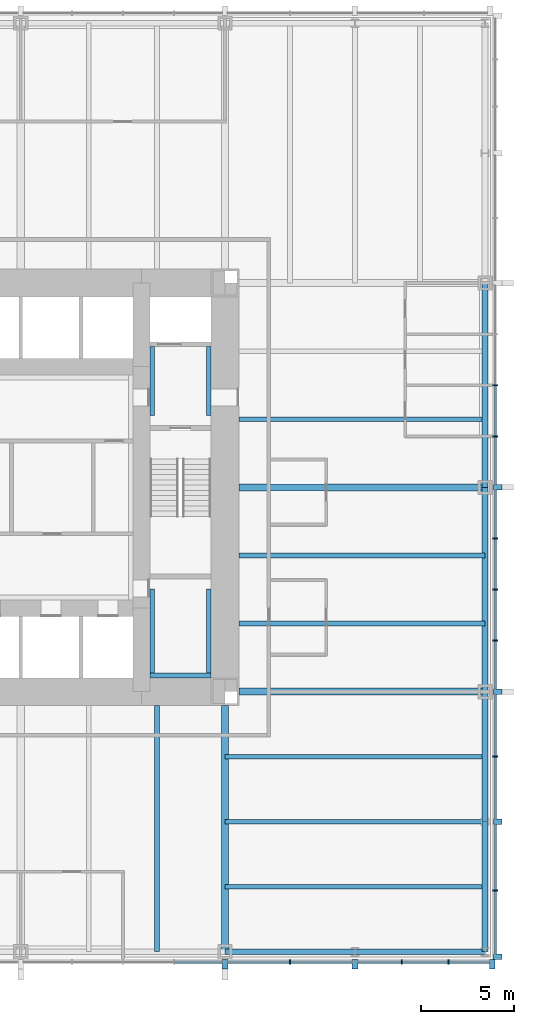
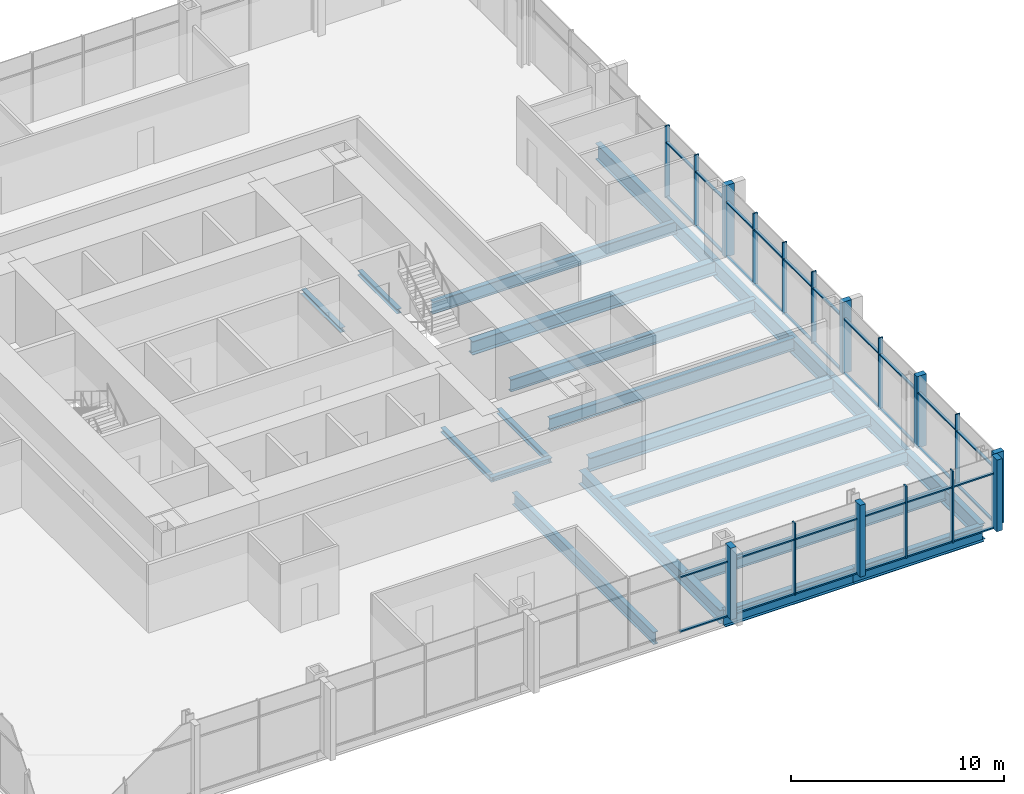
# One storey, part 4 of 12: 49 members, 21 beams, 2 elements without a shape of their own.
"""IFC4 building model written with IfcOpenShell, lengths in metres."""

from ifc_helpers import new_model, si_unit, direction, frame, origin, origin_2d, place, context, subcontext, project, spatial, rectangle, i_section, extrude, material, material_profile, profile_set, type_object, element, aggregate, save


model = new_model("IFC4")

# Units and contexts
model_context = context("Model", 3, precision=1e-05, world=origin(), true_north=direction((0.0, 1.0)))
body_context = subcontext(model_context, "Body", "Model", "MODEL_VIEW")
ifc_project = project(units=[si_unit("LENGTHUNIT", "METRE"), si_unit("AREAUNIT", "SQUARE_METRE"), si_unit("VOLUMEUNIT", "CUBIC_METRE"), si_unit("PLANEANGLEUNIT", "RADIAN"), si_unit("MASSUNIT", "GRAM", prefix="KILO")], contexts=[model_context])

# Site, building, storey
site_placement = place(None, origin())
site = spatial("IfcSite", under=ifc_project, at=site_placement, CompositionType="ELEMENT")
building_placement = place(site_placement, origin())
building = spatial("IfcBuilding", under=site, at=building_placement, Name="Trevanion Tower", CompositionType="ELEMENT")
storey_placement = place(building_placement, frame((0.0, 0.0, 61.10009765625)))
storey = spatial("IfcBuildingStorey", under=building, at=storey_placement, Name="L14", CompositionType="ELEMENT", Elevation=61.10009765625)

# Beams
ifc_material_1 = material(Name="Steel ASTM A992 Grade 50", Category="steel")
ifc_material_profile_1 = material_profile(ifc_material_1, i_section(OverallWidth=0.25390625, OverallDepth=0.700927734375, WebThickness=0.015380859375, FlangeThickness=0.02783203125, at=origin_2d()), Name="W27X129")
ifc_profile_set_1 = profile_set([ifc_material_profile_1], Name="Steel ASTM A992 Grade 50")
beam_type_1 = type_object("IfcBeamType", Name="B3 W27X129", PredefinedType="BEAM", material=ifc_profile_set_1)
for number, where, z_axis, x_axis, name in (
    (1, (11.75, -7.333251953125, -0.54052734375), (1.0, 0.0, 0.0), (0.0, 1.0, 0.0), "B3 L14"),
    (2, (11.75, -3.666748046875, -0.54052734375), (1.0, 0.0, 0.0), (0.0, 1.0, 0.0), "B3 L14"),
    (3, (11.75, 3.666748046875, -0.54052734375), (1.0, 0.0, 0.0), (0.0, 1.0, 0.0), "B3 L14"),
    (4, (7.333251953125, -11.75, -0.54052734375), (0.0, -1.0, 0.0), (1.0, 0.0, 0.0), "B3 L14"),
):
    element("IfcBeam", number, at=place(storey_placement, frame(where, z_axis=z_axis, x_axis=x_axis)), inside=storey, type_object=beam_type_1, Name=name, PredefinedType="BEAM", context=body_context, shape_type="SweptSolid", body=[
        extrude(i_section(OverallWidth=0.25390625, OverallDepth=0.700927734375, WebThickness=0.015380859375, FlangeThickness=0.02783203125, at=origin_2d()), origin(), (0.0, 0.0, 1.0), 13.25),
    ])
ifc_material_2 = material(Name="Steel ASTM A992 Grade 50", Category="steel")
ifc_material_profile_2 = material_profile(ifc_material_2, i_section(OverallWidth=0.256591796875, OverallDepth=0.693359375, WebThickness=0.014404296875, FlangeThickness=0.023681640625, at=origin_2d()), Name="W27X114")
ifc_profile_set_2 = profile_set([ifc_material_profile_2], Name="Steel ASTM A992 Grade 50")
beam_type_2 = type_object("IfcBeamType", Name="B4 W27X114", PredefinedType="BEAM", material=ifc_profile_set_2)
for number, where, z_axis, x_axis, name in (
    (5, (11.0, -14.5, -0.536865234375), (1.0, 0.0, 0.0), (0.0, 1.0, 0.0), "B4 L14"),
    (6, (11.0, -18.0, -0.536865234375), (1.0, 0.0, 0.0), (0.0, 1.0, 0.0), "B4 L14"),
    (7, (11.0, -21.5, -0.536865234375), (1.0, 0.0, 0.0), (0.0, 1.0, 0.0), "B4 L14"),
):
    element("IfcBeam", number, at=place(storey_placement, frame(where, z_axis=z_axis, x_axis=x_axis)), inside=storey, type_object=beam_type_2, Name=name, PredefinedType="BEAM", context=body_context, shape_type="SweptSolid", body=[
        extrude(i_section(OverallWidth=0.256591796875, OverallDepth=0.693359375, WebThickness=0.014404296875, FlangeThickness=0.023681640625, at=origin_2d()), origin(), (0.0, 0.0, 1.0), 14.0),
    ])

# Curtain wall, members
ifc_material_3 = material(Name="Aluminium and glass", Category="aluminium")
curtain_wall_type = type_object("IfcCurtainWallType", Name="CW1 curtain wall", PredefinedType="USERDEFINED", material=ifc_material_3)
curtain_wall_1_placement = place(storey_placement, origin())
curtain_wall_1 = element("IfcCurtainWall", 8, at=curtain_wall_1_placement, inside=storey, type_object=curtain_wall_type, Name="CW1 L14 0", ObjectType="UNITISED CURTAIN WALL", PredefinedType="USERDEFINED")
ifc_material_4 = material(Name="Aluminium extrusion, anodised bronze", Category="aluminium")
ifc_material_profile_3 = material_profile(ifc_material_4, rectangle(XDim=0.074951171875, YDim=0.25, at=origin_2d()), Name="CW1 mullion")
ifc_profile_set_3 = profile_set([ifc_material_profile_3], Name="Aluminium extrusion, anodised bronze")
member_type_1 = type_object("IfcMemberType", Name="CW1 mullion", PredefinedType="MULLION", material=ifc_profile_set_3)
member_1_placement = place(storey_placement, frame((25.550048828125, -21.7099609375, -0.190185546875), z_axis=(0.0, 0.0, 1.0), x_axis=(0.0, 1.0, 0.0)))
member_1 = element("IfcMember", 9, at=member_1_placement, type_object=member_type_1, Name="CW1 mullion 2", PredefinedType="MULLION", context=body_context, shape_type="SweptSolid", body=[
    extrude(rectangle(XDim=0.074951171875, YDim=0.25, at=origin_2d()), origin(), (0.0, 0.0, 1.0), 4.10009765625),
])
member_2_placement = place(storey_placement, frame((25.550048828125, -14.5, -0.190185546875), z_axis=(0.0, 0.0, 1.0), x_axis=(0.0, 1.0, 0.0)))
member_2 = element("IfcMember", 10, at=member_2_placement, type_object=member_type_1, Name="CW1 mullion 4", PredefinedType="MULLION", context=body_context, shape_type="SweptSolid", body=[
    extrude(rectangle(XDim=0.074951171875, YDim=0.25, at=origin_2d()), origin(), (0.0, 0.0, 1.0), 4.10009765625),
])
member_3_placement = place(storey_placement, frame((25.550048828125, -8.25, -0.190185546875), z_axis=(0.0, 0.0, 1.0), x_axis=(0.0, 1.0, 0.0)))
member_3 = element("IfcMember", 11, at=member_3_placement, type_object=member_type_1, Name="CW1 mullion 6", PredefinedType="MULLION", context=body_context, shape_type="SweptSolid", body=[
    extrude(rectangle(XDim=0.074951171875, YDim=0.25, at=origin_2d()), origin(), (0.0, 0.0, 1.0), 4.10009765625),
])
member_4_placement = place(storey_placement, frame((25.550048828125, -5.5, -0.190185546875), z_axis=(0.0, 0.0, 1.0), x_axis=(0.0, 1.0, 0.0)))
member_4 = element("IfcMember", 12, at=member_4_placement, type_object=member_type_1, Name="CW1 mullion 7", PredefinedType="MULLION", context=body_context, shape_type="SweptSolid", body=[
    extrude(rectangle(XDim=0.074951171875, YDim=0.25, at=origin_2d()), origin(), (0.0, 0.0, 1.0), 4.10009765625),
])
member_5_placement = place(storey_placement, frame((25.550048828125, -2.75, -0.190185546875), z_axis=(0.0, 0.0, 1.0), x_axis=(0.0, 1.0, 0.0)))
member_5 = element("IfcMember", 13, at=member_5_placement, type_object=member_type_1, Name="CW1 mullion 8", PredefinedType="MULLION", context=body_context, shape_type="SweptSolid", body=[
    extrude(rectangle(XDim=0.074951171875, YDim=0.25, at=origin_2d()), origin(), (0.0, 0.0, 1.0), 4.10009765625),
])
member_6_placement = place(storey_placement, frame((25.550048828125, 2.75, -0.190185546875), z_axis=(0.0, 0.0, 1.0), x_axis=(0.0, 1.0, 0.0)))
member_6 = element("IfcMember", 14, at=member_6_placement, type_object=member_type_1, Name="CW1 mullion 10", PredefinedType="MULLION", context=body_context, shape_type="SweptSolid", body=[
    extrude(rectangle(XDim=0.074951171875, YDim=0.25, at=origin_2d()), origin(), (0.0, 0.0, 1.0), 4.10009765625),
])
member_7_placement = place(storey_placement, frame((25.550048828125, 5.5, -0.190185546875), z_axis=(0.0, 0.0, 1.0), x_axis=(0.0, 1.0, 0.0)))
member_7 = element("IfcMember", 15, at=member_7_placement, type_object=member_type_1, Name="CW1 mullion 11", PredefinedType="MULLION", context=body_context, shape_type="SweptSolid", body=[
    extrude(rectangle(XDim=0.074951171875, YDim=0.25, at=origin_2d()), origin(), (0.0, 0.0, 1.0), 4.10009765625),
])

curtain_wall_2_placement = place(storey_placement, origin())
curtain_wall_2 = element("IfcCurtainWall", 16, at=curtain_wall_2_placement, inside=storey, type_object=curtain_wall_type, Name="CW1 L14 3", ObjectType="UNITISED CURTAIN WALL", PredefinedType="USERDEFINED")
member_8_placement = place(storey_placement, frame((14.5, -25.550048828125, -0.190185546875), z_axis=(0.0, 0.0, 1.0), x_axis=(1.0, 0.0, 0.0)))
member_8 = element("IfcMember", 17, at=member_8_placement, type_object=member_type_1, Name="CW1 mullion 14", PredefinedType="MULLION", context=body_context, shape_type="SweptSolid", body=[
    extrude(rectangle(XDim=0.074951171875, YDim=0.25, at=origin_2d()), origin(), (0.0, 0.0, 1.0), 4.10009765625),
])
member_9_placement = place(storey_placement, frame((20.5166015625, -25.550048828125, -0.190185546875), z_axis=(0.0, 0.0, 1.0), x_axis=(1.0, 0.0, 0.0)))
member_9 = element("IfcMember", 18, at=member_9_placement, type_object=member_type_1, Name="CW1 mullion 16", PredefinedType="MULLION", context=body_context, shape_type="SweptSolid", body=[
    extrude(rectangle(XDim=0.074951171875, YDim=0.25, at=origin_2d()), origin(), (0.0, 0.0, 1.0), 4.10009765625),
])
member_10_placement = place(storey_placement, frame((23.033203125, -25.550048828125, -0.190185546875), z_axis=(0.0, 0.0, 1.0), x_axis=(1.0, 0.0, 0.0)))
member_10 = element("IfcMember", 19, at=member_10_placement, type_object=member_type_1, Name="CW1 mullion 17", PredefinedType="MULLION", context=body_context, shape_type="SweptSolid", body=[
    extrude(rectangle(XDim=0.074951171875, YDim=0.25, at=origin_2d()), origin(), (0.0, 0.0, 1.0), 4.10009765625),
])

# Member
ifc_material_5 = material(Name="Aluminium extrusion, anodised bronze", Category="aluminium")
ifc_material_profile_4 = material_profile(ifc_material_5, rectangle(XDim=0.300048828125, YDim=0.5, at=origin_2d()), Name="CW1 pier mullion")
ifc_profile_set_4 = profile_set([ifc_material_profile_4], Name="Aluminium extrusion, anodised bronze")
member_type_2 = type_object("IfcMemberType", Name="CW1 pier mullion", PredefinedType="MULLION", material=ifc_profile_set_4)
member_11_placement = place(storey_placement, frame((25.675048828125, -25.27001953125, -0.190185546875), z_axis=(0.0, 0.0, 1.0), x_axis=(0.0, 1.0, 0.0)))
member_11 = element("IfcMember", 20, at=member_11_placement, type_object=member_type_2, Name="CW1 pier mullion 1", PredefinedType="MULLION", context=body_context, shape_type="SweptSolid", body=[
    extrude(rectangle(XDim=0.300048828125, YDim=0.5, at=origin_2d()), origin(), (0.0, 0.0, 1.0), 4.10009765625),
])

member_12_placement = place(storey_placement, frame((25.675048828125, -18.0, -0.190185546875), z_axis=(0.0, 0.0, 1.0), x_axis=(0.0, 1.0, 0.0)))
member_12 = element("IfcMember", 21, at=member_12_placement, type_object=member_type_2, Name="CW1 pier mullion 3", PredefinedType="MULLION", context=body_context, shape_type="SweptSolid", body=[
    extrude(rectangle(XDim=0.300048828125, YDim=0.5, at=origin_2d()), origin(), (0.0, 0.0, 1.0), 4.10009765625),
])

member_13_placement = place(storey_placement, frame((25.675048828125, -11.0, -0.190185546875), z_axis=(0.0, 0.0, 1.0), x_axis=(0.0, 1.0, 0.0)))
member_13 = element("IfcMember", 22, at=member_13_placement, type_object=member_type_2, Name="CW1 pier mullion 5", PredefinedType="MULLION", context=body_context, shape_type="SweptSolid", body=[
    extrude(rectangle(XDim=0.300048828125, YDim=0.5, at=origin_2d()), origin(), (0.0, 0.0, 1.0), 4.10009765625),
])

member_14_placement = place(storey_placement, frame((25.675048828125, 0.0, -0.190185546875), z_axis=(0.0, 0.0, 1.0), x_axis=(0.0, 1.0, 0.0)))
member_14 = element("IfcMember", 23, at=member_14_placement, type_object=member_type_2, Name="CW1 pier mullion 9", PredefinedType="MULLION", context=body_context, shape_type="SweptSolid", body=[
    extrude(rectangle(XDim=0.300048828125, YDim=0.5, at=origin_2d()), origin(), (0.0, 0.0, 1.0), 4.10009765625),
])

member_15_placement = place(storey_placement, frame((11.0, -25.675048828125, -0.190185546875), z_axis=(0.0, 0.0, 1.0), x_axis=(1.0, 0.0, 0.0)))
member_15 = element("IfcMember", 24, at=member_15_placement, type_object=member_type_2, Name="CW1 pier mullion 13", PredefinedType="MULLION", context=body_context, shape_type="SweptSolid", body=[
    extrude(rectangle(XDim=0.300048828125, YDim=0.5, at=origin_2d()), origin(), (0.0, 0.0, 1.0), 4.10009765625),
])

member_16_placement = place(storey_placement, frame((18.0, -25.675048828125, -0.190185546875), z_axis=(0.0, 0.0, 1.0), x_axis=(1.0, 0.0, 0.0)))
member_16 = element("IfcMember", 25, at=member_16_placement, type_object=member_type_2, Name="CW1 pier mullion 15", PredefinedType="MULLION", context=body_context, shape_type="SweptSolid", body=[
    extrude(rectangle(XDim=0.300048828125, YDim=0.5, at=origin_2d()), origin(), (0.0, 0.0, 1.0), 4.10009765625),
])

member_17_placement = place(storey_placement, frame((25.39990234375, -25.675048828125, -0.190185546875), z_axis=(0.0, 0.0, 1.0), x_axis=(1.0, 0.0, 0.0)))
member_17 = element("IfcMember", 26, at=member_17_placement, type_object=member_type_2, Name="CW1 pier mullion 18", PredefinedType="MULLION", context=body_context, shape_type="SweptSolid", body=[
    extrude(rectangle(XDim=0.300048828125, YDim=0.5, at=origin_2d()), origin(), (0.0, 0.0, 1.0), 4.10009765625),
])

ifc_material_6 = material(Name="Aluminium extrusion, anodised bronze", Category="aluminium")
ifc_material_profile_5 = material_profile(ifc_material_6, rectangle(XDim=0.14990234375, YDim=0.074951171875, at=origin_2d()), Name="CW1 transom")
ifc_profile_set_5 = profile_set([ifc_material_profile_5], Name="Aluminium extrusion, anodised bronze")
member_type_3 = type_object("IfcMemberType", Name="CW1 transom", PredefinedType="USERDEFINED", material=ifc_profile_set_5)
member_18_placement = place(storey_placement, frame((25.550048828125, -25.1201171875, -0.152587890625), z_axis=(0.0, 1.0, 0.0), x_axis=(-1.0, 0.0, 0.0)))
member_18 = element("IfcMember", 27, at=member_18_placement, type_object=member_type_3, Name="CW1 transom 1.1", ObjectType="TRANSOM", PredefinedType="USERDEFINED", context=body_context, shape_type="SweptSolid", body=[
    extrude(rectangle(XDim=0.14990234375, YDim=0.074951171875, at=origin_2d()), origin(), (0.0, 0.0, 1.0), 3.37255859375),
])

member_19_placement = place(storey_placement, frame((25.550048828125, -25.1201171875, 2.9599609375), z_axis=(0.0, 1.0, 0.0), x_axis=(-1.0, 0.0, 0.0)))
member_19 = element("IfcMember", 28, at=member_19_placement, type_object=member_type_3, Name="CW1 transom 1.2", ObjectType="TRANSOM", PredefinedType="USERDEFINED", context=body_context, shape_type="SweptSolid", body=[
    extrude(rectangle(XDim=0.14990234375, YDim=0.074951171875, at=origin_2d()), origin(), (0.0, 0.0, 1.0), 3.37255859375),
])

member_20_placement = place(storey_placement, frame((25.550048828125, -21.672607421875, -0.152587890625), z_axis=(0.0, 1.0, 0.0), x_axis=(-1.0, 0.0, 0.0)))
member_20 = element("IfcMember", 29, at=member_20_placement, type_object=member_type_3, Name="CW1 transom 2.1", ObjectType="TRANSOM", PredefinedType="USERDEFINED", context=body_context, shape_type="SweptSolid", body=[
    extrude(rectangle(XDim=0.14990234375, YDim=0.074951171875, at=origin_2d()), origin(), (0.0, 0.0, 1.0), 3.522705078125),
])

member_21_placement = place(storey_placement, frame((25.550048828125, -21.672607421875, 2.9599609375), z_axis=(0.0, 1.0, 0.0), x_axis=(-1.0, 0.0, 0.0)))
member_21 = element("IfcMember", 30, at=member_21_placement, type_object=member_type_3, Name="CW1 transom 2.2", ObjectType="TRANSOM", PredefinedType="USERDEFINED", context=body_context, shape_type="SweptSolid", body=[
    extrude(rectangle(XDim=0.14990234375, YDim=0.074951171875, at=origin_2d()), origin(), (0.0, 0.0, 1.0), 3.522705078125),
])

member_22_placement = place(storey_placement, frame((25.550048828125, -17.85009765625, -0.152587890625), z_axis=(0.0, 1.0, 0.0), x_axis=(-1.0, 0.0, 0.0)))
member_22 = element("IfcMember", 31, at=member_22_placement, type_object=member_type_3, Name="CW1 transom 3.1", ObjectType="TRANSOM", PredefinedType="USERDEFINED", context=body_context, shape_type="SweptSolid", body=[
    extrude(rectangle(XDim=0.14990234375, YDim=0.074951171875, at=origin_2d()), origin(), (0.0, 0.0, 1.0), 3.3125),
])

member_23_placement = place(storey_placement, frame((25.550048828125, -17.85009765625, 2.9599609375), z_axis=(0.0, 1.0, 0.0), x_axis=(-1.0, 0.0, 0.0)))
member_23 = element("IfcMember", 32, at=member_23_placement, type_object=member_type_3, Name="CW1 transom 3.2", ObjectType="TRANSOM", PredefinedType="USERDEFINED", context=body_context, shape_type="SweptSolid", body=[
    extrude(rectangle(XDim=0.14990234375, YDim=0.074951171875, at=origin_2d()), origin(), (0.0, 0.0, 1.0), 3.3125),
])

member_24_placement = place(storey_placement, frame((25.550048828125, -14.46240234375, -0.152587890625), z_axis=(0.0, 1.0, 0.0), x_axis=(-1.0, 0.0, 0.0)))
member_24 = element("IfcMember", 33, at=member_24_placement, type_object=member_type_3, Name="CW1 transom 4.1", ObjectType="TRANSOM", PredefinedType="USERDEFINED", context=body_context, shape_type="SweptSolid", body=[
    extrude(rectangle(XDim=0.14990234375, YDim=0.074951171875, at=origin_2d()), origin(), (0.0, 0.0, 1.0), 3.3125),
])

member_25_placement = place(storey_placement, frame((25.550048828125, -14.46240234375, 2.9599609375), z_axis=(0.0, 1.0, 0.0), x_axis=(-1.0, 0.0, 0.0)))
member_25 = element("IfcMember", 34, at=member_25_placement, type_object=member_type_3, Name="CW1 transom 4.2", ObjectType="TRANSOM", PredefinedType="USERDEFINED", context=body_context, shape_type="SweptSolid", body=[
    extrude(rectangle(XDim=0.14990234375, YDim=0.074951171875, at=origin_2d()), origin(), (0.0, 0.0, 1.0), 3.3125),
])

member_26_placement = place(storey_placement, frame((25.550048828125, -10.85009765625, -0.152587890625), z_axis=(0.0, 1.0, 0.0), x_axis=(-1.0, 0.0, 0.0)))
member_26 = element("IfcMember", 35, at=member_26_placement, type_object=member_type_3, Name="CW1 transom 5.1", ObjectType="TRANSOM", PredefinedType="USERDEFINED", context=body_context, shape_type="SweptSolid", body=[
    extrude(rectangle(XDim=0.14990234375, YDim=0.074951171875, at=origin_2d()), origin(), (0.0, 0.0, 1.0), 2.5625),
])

member_27_placement = place(storey_placement, frame((25.550048828125, -10.85009765625, 2.9599609375), z_axis=(0.0, 1.0, 0.0), x_axis=(-1.0, 0.0, 0.0)))
member_27 = element("IfcMember", 36, at=member_27_placement, type_object=member_type_3, Name="CW1 transom 5.2", ObjectType="TRANSOM", PredefinedType="USERDEFINED", context=body_context, shape_type="SweptSolid", body=[
    extrude(rectangle(XDim=0.14990234375, YDim=0.074951171875, at=origin_2d()), origin(), (0.0, 0.0, 1.0), 2.5625),
])

member_28_placement = place(storey_placement, frame((25.550048828125, -8.21240234375, -0.152587890625), z_axis=(0.0, 1.0, 0.0), x_axis=(-1.0, 0.0, 0.0)))
member_28 = element("IfcMember", 37, at=member_28_placement, type_object=member_type_3, Name="CW1 transom 6.1", ObjectType="TRANSOM", PredefinedType="USERDEFINED", context=body_context, shape_type="SweptSolid", body=[
    extrude(rectangle(XDim=0.14990234375, YDim=0.074951171875, at=origin_2d()), origin(), (0.0, 0.0, 1.0), 2.6748046875),
])

member_29_placement = place(storey_placement, frame((25.550048828125, -8.21240234375, 2.9599609375), z_axis=(0.0, 1.0, 0.0), x_axis=(-1.0, 0.0, 0.0)))
member_29 = element("IfcMember", 38, at=member_29_placement, type_object=member_type_3, Name="CW1 transom 6.2", ObjectType="TRANSOM", PredefinedType="USERDEFINED", context=body_context, shape_type="SweptSolid", body=[
    extrude(rectangle(XDim=0.14990234375, YDim=0.074951171875, at=origin_2d()), origin(), (0.0, 0.0, 1.0), 2.6748046875),
])

member_30_placement = place(storey_placement, frame((25.550048828125, -5.46240234375, -0.152587890625), z_axis=(0.0, 1.0, 0.0), x_axis=(-1.0, 0.0, 0.0)))
member_30 = element("IfcMember", 39, at=member_30_placement, type_object=member_type_3, Name="CW1 transom 7.1", ObjectType="TRANSOM", PredefinedType="USERDEFINED", context=body_context, shape_type="SweptSolid", body=[
    extrude(rectangle(XDim=0.14990234375, YDim=0.074951171875, at=origin_2d()), origin(), (0.0, 0.0, 1.0), 2.6748046875),
])

member_31_placement = place(storey_placement, frame((25.550048828125, -5.46240234375, 2.9599609375), z_axis=(0.0, 1.0, 0.0), x_axis=(-1.0, 0.0, 0.0)))
member_31 = element("IfcMember", 40, at=member_31_placement, type_object=member_type_3, Name="CW1 transom 7.2", ObjectType="TRANSOM", PredefinedType="USERDEFINED", context=body_context, shape_type="SweptSolid", body=[
    extrude(rectangle(XDim=0.14990234375, YDim=0.074951171875, at=origin_2d()), origin(), (0.0, 0.0, 1.0), 2.6748046875),
])

member_32_placement = place(storey_placement, frame((25.550048828125, -2.71240234375, -0.152587890625), z_axis=(0.0, 1.0, 0.0), x_axis=(-1.0, 0.0, 0.0)))
member_32 = element("IfcMember", 41, at=member_32_placement, type_object=member_type_3, Name="CW1 transom 8.1", ObjectType="TRANSOM", PredefinedType="USERDEFINED", context=body_context, shape_type="SweptSolid", body=[
    extrude(rectangle(XDim=0.14990234375, YDim=0.074951171875, at=origin_2d()), origin(), (0.0, 0.0, 1.0), 2.5625),
])

member_33_placement = place(storey_placement, frame((25.550048828125, -2.71240234375, 2.9599609375), z_axis=(0.0, 1.0, 0.0), x_axis=(-1.0, 0.0, 0.0)))
member_33 = element("IfcMember", 42, at=member_33_placement, type_object=member_type_3, Name="CW1 transom 8.2", ObjectType="TRANSOM", PredefinedType="USERDEFINED", context=body_context, shape_type="SweptSolid", body=[
    extrude(rectangle(XDim=0.14990234375, YDim=0.074951171875, at=origin_2d()), origin(), (0.0, 0.0, 1.0), 2.5625),
])

member_34_placement = place(storey_placement, frame((25.550048828125, 0.14990234375, -0.152587890625), z_axis=(0.0, 1.0, 0.0), x_axis=(-1.0, 0.0, 0.0)))
member_34 = element("IfcMember", 43, at=member_34_placement, type_object=member_type_3, Name="CW1 transom 9.1", ObjectType="TRANSOM", PredefinedType="USERDEFINED", context=body_context, shape_type="SweptSolid", body=[
    extrude(rectangle(XDim=0.14990234375, YDim=0.074951171875, at=origin_2d()), origin(), (0.0, 0.0, 1.0), 2.5625),
])

member_35_placement = place(storey_placement, frame((25.550048828125, 0.14990234375, 2.9599609375), z_axis=(0.0, 1.0, 0.0), x_axis=(-1.0, 0.0, 0.0)))
member_35 = element("IfcMember", 44, at=member_35_placement, type_object=member_type_3, Name="CW1 transom 9.2", ObjectType="TRANSOM", PredefinedType="USERDEFINED", context=body_context, shape_type="SweptSolid", body=[
    extrude(rectangle(XDim=0.14990234375, YDim=0.074951171875, at=origin_2d()), origin(), (0.0, 0.0, 1.0), 2.5625),
])

member_36_placement = place(storey_placement, frame((25.550048828125, 2.78759765625, -0.152587890625), z_axis=(0.0, 1.0, 0.0), x_axis=(-1.0, 0.0, 0.0)))
member_36 = element("IfcMember", 45, at=member_36_placement, type_object=member_type_3, Name="CW1 transom 10.1", ObjectType="TRANSOM", PredefinedType="USERDEFINED", context=body_context, shape_type="SweptSolid", body=[
    extrude(rectangle(XDim=0.14990234375, YDim=0.074951171875, at=origin_2d()), origin(), (0.0, 0.0, 1.0), 2.6748046875),
])

member_37_placement = place(storey_placement, frame((25.550048828125, 2.78759765625, 2.9599609375), z_axis=(0.0, 1.0, 0.0), x_axis=(-1.0, 0.0, 0.0)))
member_37 = element("IfcMember", 46, at=member_37_placement, type_object=member_type_3, Name="CW1 transom 10.2", ObjectType="TRANSOM", PredefinedType="USERDEFINED", context=body_context, shape_type="SweptSolid", body=[
    extrude(rectangle(XDim=0.14990234375, YDim=0.074951171875, at=origin_2d()), origin(), (0.0, 0.0, 1.0), 2.6748046875),
])

aggregate(curtain_wall_1, [member_11, member_1, member_12, member_2, member_13, member_3, member_4, member_5, member_14, member_6, member_7, member_18, member_19, member_20, member_21, member_22, member_23, member_24, member_25, member_26, member_27, member_28, member_29, member_30, member_31, member_32, member_33, member_34, member_35, member_36, member_37])

member_38_placement = place(storey_placement, frame((8.28759765625, -25.550048828125, -0.152587890625), z_axis=(1.0, 0.0, 0.0), x_axis=(0.0, 1.0, 0.0)))
member_38 = element("IfcMember", 47, at=member_38_placement, type_object=member_type_3, Name="CW1 transom 12.1", ObjectType="TRANSOM", PredefinedType="USERDEFINED", context=body_context, shape_type="SweptSolid", body=[
    extrude(rectangle(XDim=0.14990234375, YDim=0.074951171875, at=origin_2d()), origin(), (0.0, 0.0, 1.0), 2.5625),
])

member_39_placement = place(storey_placement, frame((8.28759765625, -25.550048828125, 2.9599609375), z_axis=(1.0, 0.0, 0.0), x_axis=(0.0, 1.0, 0.0)))
member_39 = element("IfcMember", 48, at=member_39_placement, type_object=member_type_3, Name="CW1 transom 12.2", ObjectType="TRANSOM", PredefinedType="USERDEFINED", context=body_context, shape_type="SweptSolid", body=[
    extrude(rectangle(XDim=0.14990234375, YDim=0.074951171875, at=origin_2d()), origin(), (0.0, 0.0, 1.0), 2.5625),
])

member_40_placement = place(storey_placement, frame((11.14990234375, -25.550048828125, -0.152587890625), z_axis=(1.0, 0.0, 0.0), x_axis=(0.0, 1.0, 0.0)))
member_40 = element("IfcMember", 49, at=member_40_placement, type_object=member_type_3, Name="CW1 transom 13.1", ObjectType="TRANSOM", PredefinedType="USERDEFINED", context=body_context, shape_type="SweptSolid", body=[
    extrude(rectangle(XDim=0.14990234375, YDim=0.074951171875, at=origin_2d()), origin(), (0.0, 0.0, 1.0), 3.3125),
])

member_41_placement = place(storey_placement, frame((11.14990234375, -25.550048828125, 2.9599609375), z_axis=(1.0, 0.0, 0.0), x_axis=(0.0, 1.0, 0.0)))
member_41 = element("IfcMember", 50, at=member_41_placement, type_object=member_type_3, Name="CW1 transom 13.2", ObjectType="TRANSOM", PredefinedType="USERDEFINED", context=body_context, shape_type="SweptSolid", body=[
    extrude(rectangle(XDim=0.14990234375, YDim=0.074951171875, at=origin_2d()), origin(), (0.0, 0.0, 1.0), 3.3125),
])

member_42_placement = place(storey_placement, frame((14.53759765625, -25.550048828125, -0.152587890625), z_axis=(1.0, 0.0, 0.0), x_axis=(0.0, 1.0, 0.0)))
member_42 = element("IfcMember", 51, at=member_42_placement, type_object=member_type_3, Name="CW1 transom 14.1", ObjectType="TRANSOM", PredefinedType="USERDEFINED", context=body_context, shape_type="SweptSolid", body=[
    extrude(rectangle(XDim=0.14990234375, YDim=0.074951171875, at=origin_2d()), origin(), (0.0, 0.0, 1.0), 3.3125),
])

member_43_placement = place(storey_placement, frame((14.53759765625, -25.550048828125, 2.9599609375), z_axis=(1.0, 0.0, 0.0), x_axis=(0.0, 1.0, 0.0)))
member_43 = element("IfcMember", 52, at=member_43_placement, type_object=member_type_3, Name="CW1 transom 14.2", ObjectType="TRANSOM", PredefinedType="USERDEFINED", context=body_context, shape_type="SweptSolid", body=[
    extrude(rectangle(XDim=0.14990234375, YDim=0.074951171875, at=origin_2d()), origin(), (0.0, 0.0, 1.0), 3.3125),
])

member_44_placement = place(storey_placement, frame((18.14990234375, -25.550048828125, -0.152587890625), z_axis=(1.0, 0.0, 0.0), x_axis=(0.0, 1.0, 0.0)))
member_44 = element("IfcMember", 53, at=member_44_placement, type_object=member_type_3, Name="CW1 transom 15.1", ObjectType="TRANSOM", PredefinedType="USERDEFINED", context=body_context, shape_type="SweptSolid", body=[
    extrude(rectangle(XDim=0.14990234375, YDim=0.074951171875, at=origin_2d()), origin(), (0.0, 0.0, 1.0), 2.329345703125),
])

member_45_placement = place(storey_placement, frame((18.14990234375, -25.550048828125, 2.9599609375), z_axis=(1.0, 0.0, 0.0), x_axis=(0.0, 1.0, 0.0)))
member_45 = element("IfcMember", 54, at=member_45_placement, type_object=member_type_3, Name="CW1 transom 15.2", ObjectType="TRANSOM", PredefinedType="USERDEFINED", context=body_context, shape_type="SweptSolid", body=[
    extrude(rectangle(XDim=0.14990234375, YDim=0.074951171875, at=origin_2d()), origin(), (0.0, 0.0, 1.0), 2.329345703125),
])

member_46_placement = place(storey_placement, frame((20.55419921875, -25.550048828125, -0.152587890625), z_axis=(1.0, 0.0, 0.0), x_axis=(0.0, 1.0, 0.0)))
member_46 = element("IfcMember", 55, at=member_46_placement, type_object=member_type_3, Name="CW1 transom 16.1", ObjectType="TRANSOM", PredefinedType="USERDEFINED", context=body_context, shape_type="SweptSolid", body=[
    extrude(rectangle(XDim=0.14990234375, YDim=0.074951171875, at=origin_2d()), origin(), (0.0, 0.0, 1.0), 2.441650390625),
])

member_47_placement = place(storey_placement, frame((20.55419921875, -25.550048828125, 2.9599609375), z_axis=(1.0, 0.0, 0.0), x_axis=(0.0, 1.0, 0.0)))
member_47 = element("IfcMember", 56, at=member_47_placement, type_object=member_type_3, Name="CW1 transom 16.2", ObjectType="TRANSOM", PredefinedType="USERDEFINED", context=body_context, shape_type="SweptSolid", body=[
    extrude(rectangle(XDim=0.14990234375, YDim=0.074951171875, at=origin_2d()), origin(), (0.0, 0.0, 1.0), 2.441650390625),
])

member_48_placement = place(storey_placement, frame((23.07080078125, -25.550048828125, -0.152587890625), z_axis=(1.0, 0.0, 0.0), x_axis=(0.0, 1.0, 0.0)))
member_48 = element("IfcMember", 57, at=member_48_placement, type_object=member_type_3, Name="CW1 transom 17.1", ObjectType="TRANSOM", PredefinedType="USERDEFINED", context=body_context, shape_type="SweptSolid", body=[
    extrude(rectangle(XDim=0.14990234375, YDim=0.074951171875, at=origin_2d()), origin(), (0.0, 0.0, 1.0), 2.17919921875),
])

member_49_placement = place(storey_placement, frame((23.07080078125, -25.550048828125, 2.9599609375), z_axis=(1.0, 0.0, 0.0), x_axis=(0.0, 1.0, 0.0)))
member_49 = element("IfcMember", 58, at=member_49_placement, type_object=member_type_3, Name="CW1 transom 17.2", ObjectType="TRANSOM", PredefinedType="USERDEFINED", context=body_context, shape_type="SweptSolid", body=[
    extrude(rectangle(XDim=0.14990234375, YDim=0.074951171875, at=origin_2d()), origin(), (0.0, 0.0, 1.0), 2.17919921875),
])

aggregate(curtain_wall_2, [member_15, member_8, member_16, member_9, member_10, member_17, member_38, member_39, member_40, member_41, member_42, member_43, member_44, member_45, member_46, member_47, member_48, member_49])

# Beams
ifc_material_7 = material(Name="Steel ASTM A992 Grade 50", Category="steel")
ifc_material_profile_6 = material_profile(ifc_material_7, i_section(OverallWidth=0.381103515625, OverallDepth=0.77978515625, WebThickness=0.01806640625, FlangeThickness=0.0302734375, at=origin_2d()), Name="W30X191")
ifc_profile_set_6 = profile_set([ifc_material_profile_6], Name="Steel ASTM A992 Grade 50")
beam_type_3 = type_object("IfcBeamType", Name="G2 W30X191", PredefinedType="BEAM", material=ifc_profile_set_6)
for number, where, z_axis, x_axis, name in (
    (59, (11.75, -11.0, -0.580078125), (1.0, 0.0, 0.0), (0.0, 1.0, 0.0), "G2 L14"),
    (60, (11.75, 0.0, -0.580078125), (1.0, 0.0, 0.0), (0.0, 1.0, 0.0), "G2 L14"),
    (61, (11.0, -11.75, -0.580078125), (0.0, -1.0, 0.0), (1.0, 0.0, 0.0), "G2 L14"),
):
    element("IfcBeam", number, at=place(storey_placement, frame(where, z_axis=z_axis, x_axis=x_axis)), inside=storey, type_object=beam_type_3, Name=name, PredefinedType="BEAM", context=body_context, shape_type="SweptSolid", body=[
        extrude(i_section(OverallWidth=0.381103515625, OverallDepth=0.77978515625, WebThickness=0.01806640625, FlangeThickness=0.0302734375, at=origin_2d()), origin(), (0.0, 0.0, 1.0), 13.25),
    ])
ifc_material_8 = material(Name="Steel ASTM A992 Grade 50", Category="steel")
ifc_material_profile_7 = material_profile(ifc_material_8, i_section(OverallWidth=0.256591796875, OverallDepth=0.26416015625, WebThickness=0.011962890625, FlangeThickness=0.01953125, at=origin_2d()), Name="W10X68")
ifc_profile_set_7 = profile_set([ifc_material_profile_7], Name="Steel ASTM A992 Grade 50")
beam_type_4 = type_object("IfcBeamType", Name="LB1 W10X68", PredefinedType="BEAM", material=ifc_profile_set_7)
for number, where, z_axis, x_axis, name in (
    (62, (7.078369140625, 3.875, -0.332275390625), (0.0, 1.0, 0.0), (-1.0, 0.0, 0.0), "LB1 L14"),
    (63, (10.12158203125, 3.875, -0.332275390625), (0.0, 1.0, 0.0), (-1.0, 0.0, 0.0), "LB1 L14"),
):
    element("IfcBeam", number, at=place(storey_placement, frame(where, z_axis=z_axis, x_axis=x_axis)), inside=storey, type_object=beam_type_4, Name=name, PredefinedType="BEAM", context=body_context, shape_type="SweptSolid", body=[
        extrude(i_section(OverallWidth=0.256591796875, OverallDepth=0.26416015625, WebThickness=0.011962890625, FlangeThickness=0.01953125, at=origin_2d()), origin(), (0.0, 0.0, 1.0), 3.699951171875),
    ])
for number, where, z_axis, x_axis, name in (
    (64, (7.078369140625, -10.25, -0.332275390625), (0.0, 1.0, 0.0), (-1.0, 0.0, 0.0), "LB1 L14"),
    (65, (10.12158203125, -10.25, -0.332275390625), (0.0, 1.0, 0.0), (-1.0, 0.0, 0.0), "LB1 L14"),
):
    element("IfcBeam", number, at=place(storey_placement, frame(where, z_axis=z_axis, x_axis=x_axis)), inside=storey, type_object=beam_type_4, Name=name, PredefinedType="BEAM", context=body_context, shape_type="SweptSolid", body=[
        extrude(i_section(OverallWidth=0.256591796875, OverallDepth=0.26416015625, WebThickness=0.011962890625, FlangeThickness=0.01953125, at=origin_2d()), origin(), (0.0, 0.0, 1.0), 4.77490234375),
    ])
beam_placement = place(storey_placement, frame((6.949951171875, -10.12158203125, -0.332275390625), z_axis=(1.0, 0.0, 0.0), x_axis=(0.0, 1.0, 0.0)))
element("IfcBeam", 66, at=beam_placement, inside=storey, type_object=beam_type_4, Name="LB1 L14", PredefinedType="BEAM", context=body_context, shape_type="SweptSolid", body=[
    extrude(i_section(OverallWidth=0.256591796875, OverallDepth=0.26416015625, WebThickness=0.011962890625, FlangeThickness=0.01953125, at=origin_2d()), origin(), (0.0, 0.0, 1.0), 3.300048828125),
])
ifc_material_9 = material(Name="Steel ASTM A992 Grade 50", Category="steel")
ifc_material_profile_8 = material_profile(ifc_material_9, i_section(OverallWidth=0.307373046875, OverallDepth=0.927001953125, WebThickness=0.01953125, FlangeThickness=0.031982421875, at=origin_2d()), Name="W36X194")
ifc_profile_set_8 = profile_set([ifc_material_profile_8], Name="Steel ASTM A992 Grade 50")
beam_type_5 = type_object("IfcBeamType", Name="SB2 W36X194", PredefinedType="SPANDREL", material=ifc_profile_set_8)
for number, where, z_axis, x_axis, name in (
    (67, (25.0, -25.0, -0.653564453125), (0.0, 1.0, 0.0), (-1.0, 0.0, 0.0), "SB2 L14"),
    (68, (25.0, -18.0, -0.653564453125), (0.0, 1.0, 0.0), (-1.0, 0.0, 0.0), "SB2 L14"),
):
    element("IfcBeam", number, at=place(storey_placement, frame(where, z_axis=z_axis, x_axis=x_axis)), inside=storey, type_object=beam_type_5, Name=name, PredefinedType="SPANDREL", context=body_context, shape_type="SweptSolid", body=[
        extrude(i_section(OverallWidth=0.307373046875, OverallDepth=0.927001953125, WebThickness=0.01953125, FlangeThickness=0.031982421875, at=origin_2d()), origin(), (0.0, 0.0, 1.0), 7.0),
    ])
for number, where, z_axis, x_axis, name in (
    (69, (25.0, -11.0, -0.653564453125), (0.0, 1.0, 0.0), (-1.0, 0.0, 0.0), "SB2 L14"),
    (70, (25.0, 0.0, -0.653564453125), (0.0, 1.0, 0.0), (-1.0, 0.0, 0.0), "SB2 L14"),
):
    element("IfcBeam", number, at=place(storey_placement, frame(where, z_axis=z_axis, x_axis=x_axis)), inside=storey, type_object=beam_type_5, Name=name, PredefinedType="SPANDREL", context=body_context, shape_type="SweptSolid", body=[
        extrude(i_section(OverallWidth=0.307373046875, OverallDepth=0.927001953125, WebThickness=0.01953125, FlangeThickness=0.031982421875, at=origin_2d()), origin(), (0.0, 0.0, 1.0), 11.0),
    ])
for number, where, z_axis, x_axis, name in (
    (71, (11.0, -25.0, -0.653564453125), (1.0, 0.0, 0.0), (0.0, 1.0, 0.0), "SB2 L14"),
    (72, (18.0, -25.0, -0.653564453125), (1.0, 0.0, 0.0), (0.0, 1.0, 0.0), "SB2 L14"),
):
    element("IfcBeam", number, at=place(storey_placement, frame(where, z_axis=z_axis, x_axis=x_axis)), inside=storey, type_object=beam_type_5, Name=name, PredefinedType="SPANDREL", context=body_context, shape_type="SweptSolid", body=[
        extrude(i_section(OverallWidth=0.307373046875, OverallDepth=0.927001953125, WebThickness=0.01953125, FlangeThickness=0.031982421875, at=origin_2d()), origin(), (0.0, 0.0, 1.0), 7.0),
    ])

save(model, "model.ifc")
